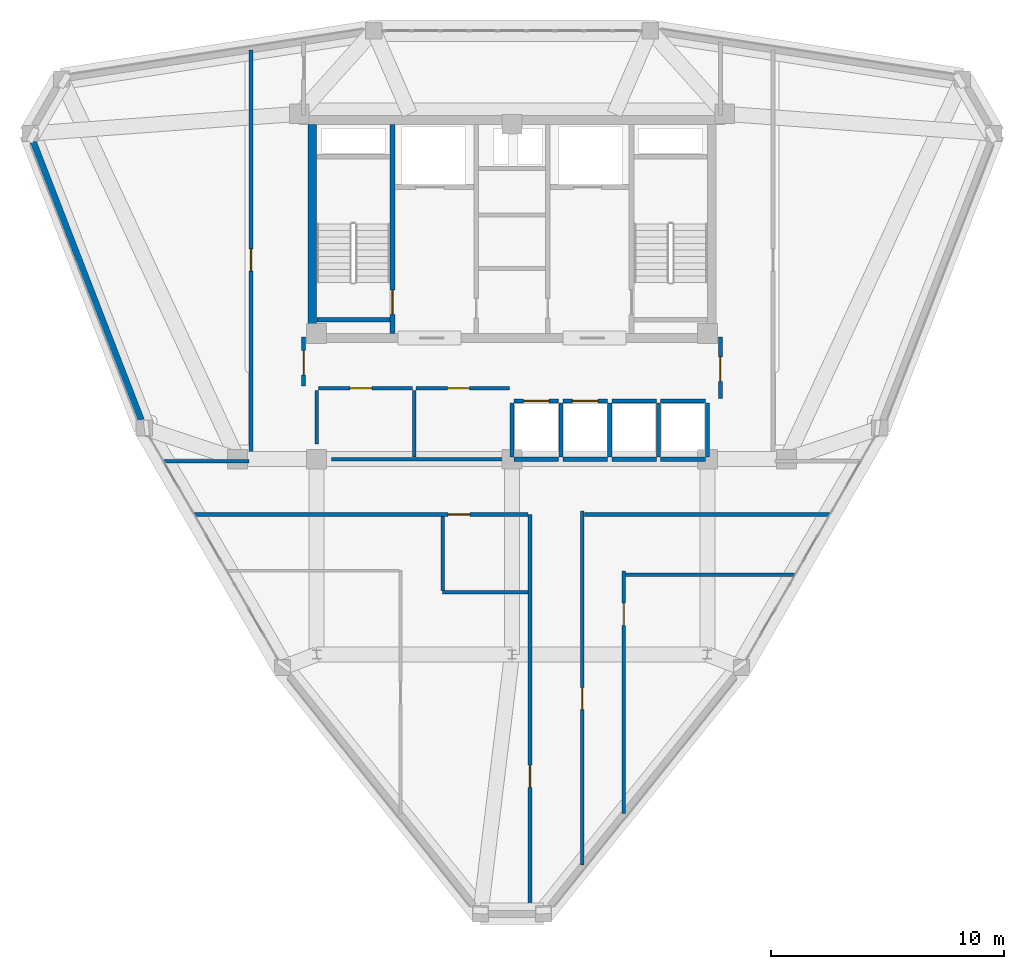
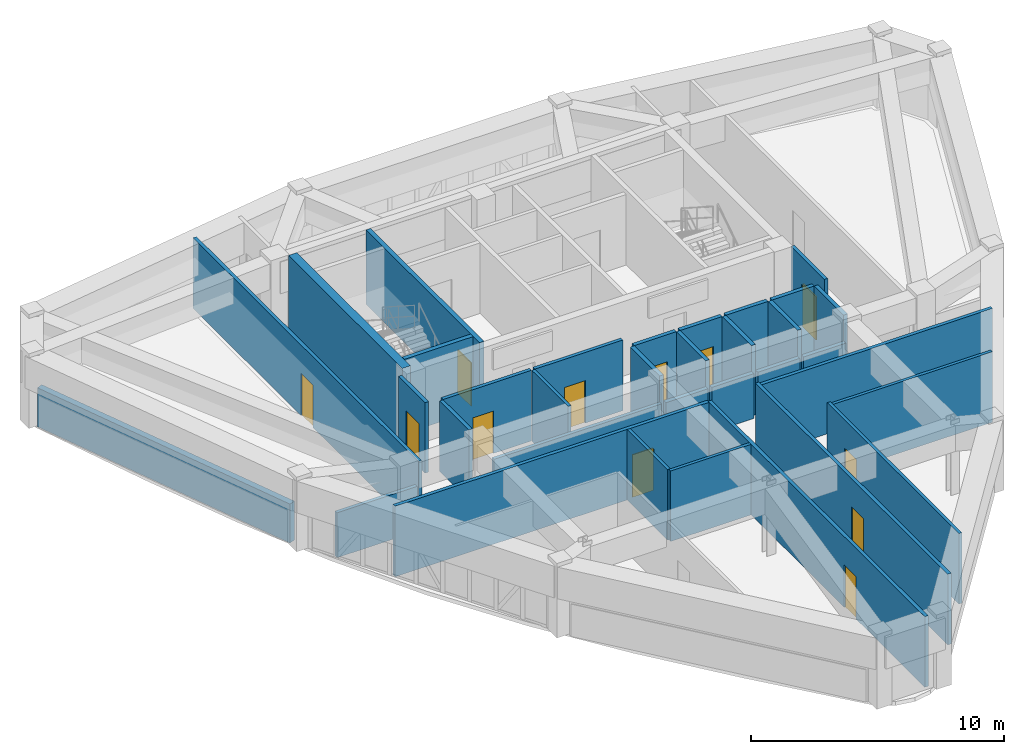
# One storey, part 13 of 16: 34 walls, 12 doors, 12 openings.
"""IFC4 building model written with IfcOpenShell, lengths in metres."""

from ifc_helpers import new_model, si_unit, derived_unit, direction, frame, frame_2d, origin, place, context, subcontext, project, spatial, rectangle, extrude, material, layer, layer_set, type_object, element, fill, save


model = new_model("IFC4")

# Units and contexts
model_context = context("Model", 3, precision=1e-05, world=origin(), true_north=direction((0.0, 1.0)))
body_context = subcontext(model_context, "Body", "Model", "MODEL_VIEW")
ifc_project = project(units=[si_unit("LENGTHUNIT", "METRE"), si_unit("AREAUNIT", "SQUARE_METRE"), si_unit("VOLUMEUNIT", "CUBIC_METRE"), si_unit("PLANEANGLEUNIT", "RADIAN"), si_unit("MASSUNIT", "GRAM", prefix="KILO"), derived_unit("THERMALTRANSMITTANCEUNIT", [(si_unit("POWERUNIT", "WATT"), 1), (si_unit("LENGTHUNIT", "METRE"), -2), (si_unit("THERMODYNAMICTEMPERATUREUNIT", "KELVIN"), -1)])], contexts=[model_context])

# Site, building, storey
site_placement = place(None, origin())
site = spatial("IfcSite", under=ifc_project, at=site_placement, CompositionType="ELEMENT")
building_placement = place(site_placement, origin())
building = spatial("IfcBuilding", under=site, at=building_placement, Name="Korsvarv Bourse and Concert Hall", CompositionType="ELEMENT")
storey_placement = place(building_placement, frame((0.0, 0.0, 261.0)))
storey = spatial("IfcBuildingStorey", under=building, at=storey_placement, Name="L68", CompositionType="ELEMENT", Elevation=261.0)

# Wall
ifc_material_1 = material(Name="Concrete C50/60", Category="concrete")
ifc_layer_1 = layer(ifc_material_1, 0.3798828125)
ifc_layer_set_1 = layer_set([ifc_layer_1], Name="Concrete C50/60")
wall_type_1 = type_object("IfcWallType", Name="WL-CORE-380", PredefinedType="SHEAR", material=ifc_layer_set_1)
wall_1_placement = place(storey_placement, frame((27.409912109375, 37.800048828125, 0.0), z_axis=(0.0, 0.0, 1.0), x_axis=(0.0, 1.0, 0.0)))
element("IfcWall", 1, at=wall_1_placement, inside=storey, type_object=wall_type_1, Name="L68 West Core Shear Wall", PredefinedType="SHEAR", context=body_context, shape_type="SweptSolid", body=[
    extrude(rectangle(XDim=9.0, YDim=0.3798828125, at=frame_2d((4.5, 0.0))), origin(), (0.0, 0.0, 1.0), 3.60009765625),
])

# Wall, opening, door
wall_2_placement = place(storey_placement, frame((30.860107421875, 37.81005859375, 0.0), z_axis=(0.0, 0.0, 1.0), x_axis=(0.0, 1.0, 0.0)))
wall_2 = element("IfcWall", 2, at=wall_2_placement, inside=storey, type_object=wall_type_1, Name="L68 stair shaft structural wall W-L68-ST1-E", PredefinedType="SHEAR", context=body_context, shape_type="SweptSolid", body=[
    extrude(rectangle(XDim=8.97998046875, YDim=0.199951171875, at=frame_2d((4.489990234375, 0.0))), origin(), (0.0, 0.0, 1.0), 3.60009765625),
])
opening_1_placement = place(wall_2_placement, frame((0.820068359375, 0.0, 0.0)))
opening_1 = element("IfcOpeningElement", 3, at=opening_1_placement, cuts=wall_2, Name="Opening D-01", PredefinedType="OPENING", context=body_context, shape_type="SweptSolid", body=[
    extrude(rectangle(XDim=1.050048828125, YDim=2.10009765625, at=frame_2d((0.52490234375, 1.050048828125))), frame((0.0, 0.10986328125, 0.0), z_axis=(0.0, -1.0, 0.0), x_axis=(1.0, 0.0, 0.0)), (0.0, 0.0, 1.0), 0.219970703125),
])
ifc_material_2 = material(Name="Steel S355 fire door", Category="steel")
door_type_1 = type_object("IfcDoorType", Name="DR-FD60", OperationType="NOTDEFINED", PredefinedType="DOOR", material=ifc_material_2)
door_1_placement = place(opening_1_placement, origin())
door_1 = element("IfcDoor", 4, at=door_1_placement, inside=storey, type_object=door_type_1, Name="L68 interior door DR-L68-ST1", OperationType="SINGLE_SWING_RIGHT", OverallHeight=2.10009765625, OverallWidth=1.050048828125, PredefinedType="DOOR", context=body_context, shape_type="SweptSolid", body=[
    extrude(rectangle(XDim=1.050048828125, YDim=2.10009765625, at=frame_2d((0.52490234375, 1.050048828125))), frame((0.0, 0.02490234375, 0.0), z_axis=(0.0, -1.0, 0.0), x_axis=(1.0, 0.0, 0.0)), (0.0, 0.0, 1.0), 0.050048828125),
])
fill(opening_1, door_1)

# Walls
wall_3_placement = place(storey_placement, frame((27.610107421875, 38.39990234375, 0.0), z_axis=(0.0, 0.0, 1.0), x_axis=(1.0, 0.0, 0.0)))
element("IfcWall", 5, at=wall_3_placement, inside=storey, type_object=wall_type_1, Name="L68 stair shaft structural wall W-L68-ST1-S", PredefinedType="SHEAR", context=body_context, shape_type="SweptSolid", body=[
    extrude(rectangle(XDim=3.139892578125, YDim=0.199951171875, at=frame_2d((1.56982421875, 0.0))), origin(), (0.0, 0.0, 1.0), 3.60009765625),
])
ifc_material_3 = material(Name="Precast concrete C45/55 with fluted terracotta pier", Category="concrete")
ifc_layer_2 = layer(ifc_material_3, 0.280029296875)
ifc_layer_set_2 = layer_set([ifc_layer_2], Name="Precast concrete C45/55 with fluted terracotta pier")
wall_type_2 = type_object("IfcWallType", Name="WL-EXT-TC2", PredefinedType="SOLIDWALL", material=ifc_layer_set_2)
wall_4_placement = place(storey_placement, frame((15.41259765625, 46.044189453125, 0.0), z_axis=(0.0, 0.0, 1.0), x_axis=(0.36191228283, -0.932212153716, 0.0)))
element("IfcWall", 6, at=wall_4_placement, inside=storey, type_object=wall_type_2, Name="L68 terracotta exterior wall EW-L68-B06", PredefinedType="SOLIDWALL", context=body_context, shape_type="SweptSolid", body=[
    extrude(rectangle(XDim=12.820556640625, YDim=0.280029296875, at=frame_2d((6.41015625, 0.0))), origin(), (0.0, 0.0, 1.0), 1.8798828125),
])
ifc_material_4 = material(Name="Double-stud fire-rated acoustic partition", Category="gypsum")
ifc_layer_3 = layer(ifc_material_4, 0.159912109375)
ifc_layer_set_3 = layer_set([ifc_layer_3], Name="Double-stud fire-rated acoustic partition")
wall_type_3 = type_object("IfcWallType", Name="WL-INT-EI60", PredefinedType="PARTITIONING", material=ifc_layer_set_3)
wall_5_placement = place(storey_placement, frame((28.25, 32.39990234375, 0.0), z_axis=(0.0, 0.0, 1.0), x_axis=(1.0, 0.0, 0.0)))
element("IfcWall", 7, at=wall_5_placement, inside=storey, type_object=wall_type_3, Name="L68 interior partition wall W-L68-FRD-S", PredefinedType="PARTITIONING", context=body_context, shape_type="SweptSolid", body=[
    extrude(rectangle(XDim=7.64990234375, YDim=0.159912109375, at=frame_2d((3.824951171875, 0.0))), origin(), (0.0, 0.0, 1.0), 2.169921875),
])
wall_6_placement = place(storey_placement, frame((27.60009765625, 33.050048828125, 0.0), z_axis=(0.0, 0.0, 1.0), x_axis=(0.0, 1.0, 0.0)))
element("IfcWall", 8, at=wall_6_placement, inside=storey, type_object=wall_type_3, Name="L68 interior partition wall W-L68-FRD-W", PredefinedType="PARTITIONING", context=body_context, shape_type="SweptSolid", body=[
    extrude(rectangle(XDim=2.31005859375, YDim=0.159912109375, at=frame_2d((1.155029296875, 0.0))), origin(), (0.0, 0.0, 1.0), 3.409912109375),
])

# Wall, opening, door
wall_7_placement = place(storey_placement, frame((27.68994140625, 35.449951171875, 0.0), z_axis=(0.0, 0.0, 1.0), x_axis=(1.0, 0.0, 0.0)))
wall_7 = element("IfcWall", 9, at=wall_7_placement, inside=storey, type_object=wall_type_3, Name="L68 interior partition wall W-L68-FRD-N1", PredefinedType="PARTITIONING", context=body_context, shape_type="SweptSolid", body=[
    extrude(rectangle(XDim=4.030029296875, YDim=0.159912109375, at=frame_2d((2.01513671875, 0.0))), origin(), (0.0, 0.0, 1.0), 3.409912109375),
])
opening_2_placement = place(wall_7_placement, frame((1.35009765625, 0.0, 0.0)))
opening_2 = element("IfcOpeningElement", 10, at=opening_2_placement, cuts=wall_7, Name="Opening D-03", PredefinedType="OPENING", context=body_context, shape_type="SweptSolid", body=[
    extrude(rectangle(XDim=0.949951171875, YDim=2.050048828125, at=frame_2d((0.47509765625, 1.02490234375))), frame((0.0, 0.08984375, 0.0), z_axis=(0.0, -1.0, 0.0), x_axis=(1.0, 0.0, 0.0)), (0.0, 0.0, 1.0), 0.179931640625),
])
ifc_material_5 = material(Name="Nordic oak acoustic office door", Category="wood")
door_type_2 = type_object("IfcDoorType", Name="DR-INT-1", OperationType="NOTDEFINED", PredefinedType="DOOR", material=ifc_material_5)
door_2_placement = place(opening_2_placement, origin())
door_2 = element("IfcDoor", 11, at=door_2_placement, inside=storey, type_object=door_type_2, Name="L68 interior door DR-L68-FRDN1", OperationType="SINGLE_SWING_RIGHT", OverallHeight=2.050048828125, OverallWidth=0.949951171875, PredefinedType="DOOR", context=body_context, shape_type="SweptSolid", body=[
    extrude(rectangle(XDim=0.949951171875, YDim=2.050048828125, at=frame_2d((0.47509765625, 1.02490234375))), frame((0.0, 0.02490234375, 0.0), z_axis=(0.0, -1.0, 0.0), x_axis=(1.0, 0.0, 0.0)), (0.0, 0.0, 1.0), 0.050048828125),
])
fill(opening_2, door_2)

wall_8_placement = place(storey_placement, frame((31.8798828125, 35.449951171875, 0.0), z_axis=(0.0, 0.0, 1.0), x_axis=(1.0, 0.0, 0.0)))
wall_8 = element("IfcWall", 12, at=wall_8_placement, inside=storey, type_object=wall_type_3, Name="L68 interior partition wall W-L68-FRD-N2", PredefinedType="PARTITIONING", context=body_context, shape_type="SweptSolid", body=[
    extrude(rectangle(XDim=4.02001953125, YDim=0.159912109375, at=frame_2d((2.010009765625, 0.0))), origin(), (0.0, 0.0, 1.0), 3.409912109375),
])
opening_3_placement = place(wall_8_placement, frame((1.35009765625, 0.0, 0.0)))
opening_3 = element("IfcOpeningElement", 13, at=opening_3_placement, cuts=wall_8, Name="Opening D-03", PredefinedType="OPENING", context=body_context, shape_type="SweptSolid", body=[
    extrude(rectangle(XDim=0.949951171875, YDim=2.050048828125, at=frame_2d((0.47509765625, 1.02490234375))), frame((0.0, 0.08984375, 0.0), z_axis=(0.0, -1.0, 0.0), x_axis=(1.0, 0.0, 0.0)), (0.0, 0.0, 1.0), 0.179931640625),
])
door_3_placement = place(opening_3_placement, origin())
door_3 = element("IfcDoor", 14, at=door_3_placement, inside=storey, type_object=door_type_2, Name="L68 interior door DR-L68-FRDN2", OperationType="SINGLE_SWING_LEFT", OverallHeight=2.050048828125, OverallWidth=0.949951171875, PredefinedType="DOOR", context=body_context, shape_type="SweptSolid", body=[
    extrude(rectangle(XDim=0.949951171875, YDim=2.050048828125, at=frame_2d((0.47509765625, 1.02490234375))), frame((0.0, 0.02490234375, 0.0), z_axis=(0.0, -1.0, 0.0), x_axis=(1.0, 0.0, 0.0)), (0.0, 0.0, 1.0), 0.050048828125),
])
fill(opening_3, door_3)

wall_9_placement = place(storey_placement, frame((27.0400390625, 35.5400390625, 0.0), z_axis=(0.0, 0.0, 1.0), x_axis=(0.0, 1.0, 0.0)))
wall_9 = element("IfcWall", 15, at=wall_9_placement, inside=storey, type_object=wall_type_3, Name="L68 interior partition wall W-L68-LOB-WL", PredefinedType="PARTITIONING", context=body_context, shape_type="SweptSolid", body=[
    extrude(rectangle(XDim=2.10986328125, YDim=0.159912109375, at=frame_2d((1.054931640625, 0.0))), origin(), (0.0, 0.0, 1.0), 3.409912109375),
])
opening_4_placement = place(wall_9_placement, frame((0.47998046875, 0.0, 0.0)))
opening_4 = element("IfcOpeningElement", 16, at=opening_4_placement, cuts=wall_9, Name="Opening D-01", PredefinedType="OPENING", context=body_context, shape_type="SweptSolid", body=[
    extrude(rectangle(XDim=1.050048828125, YDim=2.10009765625, at=frame_2d((0.52490234375, 1.050048828125))), frame((0.0, 0.08984375, 0.0), z_axis=(0.0, -1.0, 0.0), x_axis=(1.0, 0.0, 0.0)), (0.0, 0.0, 1.0), 0.179931640625),
])
door_4_placement = place(opening_4_placement, frame((1.050048828125, 0.0, 0.0), z_axis=(0.0, 0.0, 1.0), x_axis=(-1.0, 0.0, 0.0)))
door_4 = element("IfcDoor", 17, at=door_4_placement, inside=storey, type_object=door_type_1, Name="L68 interior door DR-L68-LOBW", OperationType="SINGLE_SWING_RIGHT", OverallHeight=2.10009765625, OverallWidth=1.050048828125, PredefinedType="DOOR", context=body_context, shape_type="SweptSolid", body=[
    extrude(rectangle(XDim=1.050048828125, YDim=2.10009765625, at=frame_2d((0.52490234375, 1.050048828125))), frame((0.0, 0.02490234375, 0.0), z_axis=(0.0, -1.0, 0.0), x_axis=(1.0, 0.0, 0.0)), (0.0, 0.0, 1.0), 0.050048828125),
])
fill(opening_4, door_4)

wall_10_placement = place(storey_placement, frame((44.9599609375, 35.0, 0.0), z_axis=(0.0, 0.0, 1.0), x_axis=(0.0, 1.0, 0.0)))
wall_10 = element("IfcWall", 18, at=wall_10_placement, inside=storey, type_object=wall_type_3, Name="L68 interior partition wall W-L68-LOB-E", PredefinedType="PARTITIONING", context=body_context, shape_type="SweptSolid", body=[
    extrude(rectangle(XDim=2.64990234375, YDim=0.159912109375, at=frame_2d((1.324951171875, 0.0))), origin(), (0.0, 0.0, 1.0), 3.409912109375),
])
opening_5_placement = place(wall_10_placement, frame((0.75, 0.0, 0.0)))
opening_5 = element("IfcOpeningElement", 19, at=opening_5_placement, cuts=wall_10, Name="Opening D-01", PredefinedType="OPENING", context=body_context, shape_type="SweptSolid", body=[
    extrude(rectangle(XDim=1.050048828125, YDim=2.10009765625, at=frame_2d((0.52490234375, 1.050048828125))), frame((0.0, 0.08984375, 0.0), z_axis=(0.0, -1.0, 0.0), x_axis=(1.0, 0.0, 0.0)), (0.0, 0.0, 1.0), 0.179931640625),
])
door_5_placement = place(opening_5_placement, origin())
door_5 = element("IfcDoor", 20, at=door_5_placement, inside=storey, type_object=door_type_1, Name="L68 interior door DR-L68-LOBE", OperationType="SINGLE_SWING_LEFT", OverallHeight=2.10009765625, OverallWidth=1.050048828125, PredefinedType="DOOR", context=body_context, shape_type="SweptSolid", body=[
    extrude(rectangle(XDim=1.050048828125, YDim=2.10009765625, at=frame_2d((0.52490234375, 1.050048828125))), frame((0.0, 0.02490234375, 0.0), z_axis=(0.0, -1.0, 0.0), x_axis=(1.0, 0.0, 0.0)), (0.0, 0.0, 1.0), 0.050048828125),
])
fill(opening_5, door_5)

wall_11_placement = place(storey_placement, frame((24.77490234375, 32.159912109375, 0.0), z_axis=(0.0, 0.0, 1.0), x_axis=(0.0, 1.0, 0.0)))
wall_11 = element("IfcWall", 21, at=wall_11_placement, inside=storey, type_object=wall_type_3, Name="L68 interior partition wall W-L68-TCOR-02", PredefinedType="PARTITIONING", context=body_context, shape_type="SweptSolid", body=[
    extrude(rectangle(XDim=17.8271484375, YDim=0.159912109375, at=frame_2d((8.91357421875, 0.0))), origin(), (0.0, 0.0, 1.0), 3.409912109375),
])
opening_6_placement = place(wall_11_placement, frame((8.330322265625, 0.0, 0.0)))
opening_6 = element("IfcOpeningElement", 22, at=opening_6_placement, cuts=wall_11, Name="Opening D-02", PredefinedType="OPENING", context=body_context, shape_type="SweptSolid", body=[
    extrude(rectangle(XDim=0.949951171875, YDim=2.050048828125, at=frame_2d((0.47509765625, 1.02490234375))), frame((0.0, 0.08984375, 0.0), z_axis=(0.0, -1.0, 0.0), x_axis=(1.0, 0.0, 0.0)), (0.0, 0.0, 1.0), 0.179931640625),
])
ifc_material_6 = material(Name="Timber and steel acoustic fire door", Category="wood")
door_type_3 = type_object("IfcDoorType", Name="DR-FD30", OperationType="NOTDEFINED", PredefinedType="DOOR", material=ifc_material_6)
door_6_placement = place(opening_6_placement, origin())
door_6 = element("IfcDoor", 23, at=door_6_placement, inside=storey, type_object=door_type_3, Name="L68 interior door DR-L68-TCOR-NWC7", OperationType="SINGLE_SWING_LEFT", OverallHeight=2.050048828125, OverallWidth=0.949951171875, PredefinedType="DOOR", context=body_context, shape_type="SweptSolid", body=[
    extrude(rectangle(XDim=0.949951171875, YDim=2.050048828125, at=frame_2d((0.47509765625, 1.02490234375))), frame((0.0, 0.02490234375, 0.0), z_axis=(0.0, -1.0, 0.0), x_axis=(1.0, 0.0, 0.0)), (0.0, 0.0, 1.0), 0.050048828125),
])
fill(opening_6, door_6)

wall_12_placement = place(storey_placement, frame((36.77490234375, 12.871826171875, 0.0), z_axis=(0.0, 0.0, 1.0), x_axis=(0.0, 1.0, 0.0)))
wall_12 = element("IfcWall", 24, at=wall_12_placement, inside=storey, type_object=wall_type_3, Name="L68 interior partition wall W-L68-TCOR-03", PredefinedType="PARTITIONING", context=body_context, shape_type="SweptSolid", body=[
    extrude(rectangle(XDim=17.158203125, YDim=0.159912109375, at=frame_2d((8.5791015625, 0.0))), origin(), (0.0, 0.0, 1.0), 3.409912109375),
])
opening_7_placement = place(wall_12_placement, frame((5.42138671875, 0.0, 0.0)))
opening_7 = element("IfcOpeningElement", 25, at=opening_7_placement, cuts=wall_12, Name="Opening D-02", PredefinedType="OPENING", context=body_context, shape_type="SweptSolid", body=[
    extrude(rectangle(XDim=0.949951171875, YDim=2.050048828125, at=frame_2d((0.47509765625, 1.02490234375))), frame((0.0, 0.08984375, 0.0), z_axis=(0.0, -1.0, 0.0), x_axis=(1.0, 0.0, 0.0)), (0.0, 0.0, 1.0), 0.179931640625),
])
door_7_placement = place(opening_7_placement, origin())
door_7 = element("IfcDoor", 26, at=door_7_placement, inside=storey, type_object=door_type_3, Name="L68 interior door DR-L68-TCOR-SWB6", OperationType="SINGLE_SWING_RIGHT", OverallHeight=2.050048828125, OverallWidth=0.949951171875, PredefinedType="DOOR", context=body_context, shape_type="SweptSolid", body=[
    extrude(rectangle(XDim=0.949951171875, YDim=2.050048828125, at=frame_2d((0.47509765625, 1.02490234375))), frame((0.0, 0.02490234375, 0.0), z_axis=(0.0, -1.0, 0.0), x_axis=(1.0, 0.0, 0.0)), (0.0, 0.0, 1.0), 0.050048828125),
])
fill(opening_7, door_7)

wall_13_placement = place(storey_placement, frame((39.02490234375, 14.9482421875, 0.0), z_axis=(0.0, 0.0, 1.0), x_axis=(0.0, 1.0, 0.0)))
wall_13 = element("IfcWall", 27, at=wall_13_placement, inside=storey, type_object=wall_type_3, Name="L68 interior partition wall W-L68-TCOR-04", PredefinedType="PARTITIONING", context=body_context, shape_type="SweptSolid", body=[
    extrude(rectangle(XDim=15.231689453125, YDim=0.159912109375, at=frame_2d((7.61572265625, 0.0))), origin(), (0.0, 0.0, 1.0), 3.409912109375),
])
opening_8_placement = place(wall_13_placement, frame((6.6796875, 0.0, 0.0)))
opening_8 = element("IfcOpeningElement", 28, at=opening_8_placement, cuts=wall_13, Name="Opening D-02", PredefinedType="OPENING", context=body_context, shape_type="SweptSolid", body=[
    extrude(rectangle(XDim=0.949951171875, YDim=2.050048828125, at=frame_2d((0.47509765625, 1.02490234375))), frame((0.0, 0.08984375, 0.0), z_axis=(0.0, -1.0, 0.0), x_axis=(1.0, 0.0, 0.0)), (0.0, 0.0, 1.0), 0.179931640625),
])
door_8_placement = place(opening_8_placement, origin())
door_8 = element("IfcDoor", 29, at=door_8_placement, inside=storey, type_object=door_type_3, Name="L68 interior door DR-L68-TCOR-SEB2", OperationType="SINGLE_SWING_LEFT", OverallHeight=2.050048828125, OverallWidth=0.949951171875, PredefinedType="DOOR", context=body_context, shape_type="SweptSolid", body=[
    extrude(rectangle(XDim=0.949951171875, YDim=2.050048828125, at=frame_2d((0.47509765625, 1.02490234375))), frame((0.0, 0.02490234375, 0.0), z_axis=(0.0, -1.0, 0.0), x_axis=(1.0, 0.0, 0.0)), (0.0, 0.0, 1.0), 0.050048828125),
])
fill(opening_8, door_8)

wall_14_placement = place(storey_placement, frame((22.35400390625, 30.02490234375, 0.0), z_axis=(0.0, 0.0, 1.0), x_axis=(1.0, 0.0, 0.0)))
wall_14 = element("IfcWall", 30, at=wall_14_placement, inside=storey, type_object=wall_type_3, Name="L68 interior partition wall W-L68-TCOR-05", PredefinedType="PARTITIONING", context=body_context, shape_type="SweptSolid", body=[
    extrude(rectangle(XDim=14.339111328125, YDim=0.159912109375, at=frame_2d((7.16943359375, 0.0))), origin(), (0.0, 0.0, 1.0), 3.409912109375),
])
opening_9_placement = place(wall_14_placement, frame((10.885986328125, 0.0, 0.0)))
opening_9 = element("IfcOpeningElement", 31, at=opening_9_placement, cuts=wall_14, Name="Opening D-02", PredefinedType="OPENING", context=body_context, shape_type="SweptSolid", body=[
    extrude(rectangle(XDim=0.949951171875, YDim=2.050048828125, at=frame_2d((0.47509765625, 1.02490234375))), frame((0.0, 0.08984375, 0.0), z_axis=(0.0, -1.0, 0.0), x_axis=(1.0, 0.0, 0.0)), (0.0, 0.0, 1.0), 0.179931640625),
])
door_9_placement = place(opening_9_placement, origin())
door_9 = element("IfcDoor", 32, at=door_9_placement, inside=storey, type_object=door_type_3, Name="L68 interior door DR-L68-TCOR-RWC", OperationType="SINGLE_SWING_RIGHT", OverallHeight=2.050048828125, OverallWidth=0.949951171875, PredefinedType="DOOR", context=body_context, shape_type="SweptSolid", body=[
    extrude(rectangle(XDim=0.949951171875, YDim=2.050048828125, at=frame_2d((0.47509765625, 1.02490234375))), frame((0.0, 0.02490234375, 0.0), z_axis=(0.0, -1.0, 0.0), x_axis=(1.0, 0.0, 0.0)), (0.0, 0.0, 1.0), 0.050048828125),
])
fill(opening_9, door_9)

# Walls
wall_15_placement = place(storey_placement, frame((39.10693359375, 30.02490234375, 0.0), z_axis=(0.0, 0.0, 1.0), x_axis=(1.0, 0.0, 0.0)))
element("IfcWall", 33, at=wall_15_placement, inside=storey, type_object=wall_type_3, Name="L68 interior partition wall W-L68-TCOR-06", PredefinedType="PARTITIONING", context=body_context, shape_type="SweptSolid", body=[
    extrude(rectangle(XDim=10.5390625, YDim=0.159912109375, at=frame_2d((5.26953125, 0.0))), origin(), (0.0, 0.0, 1.0), 3.409912109375),
])
wall_16_placement = place(storey_placement, frame((21.03173828125, 32.31494140625, 0.0), z_axis=(0.0, 0.0, 1.0), x_axis=(1.0, 0.0, 0.0)))
element("IfcWall", 34, at=wall_16_placement, inside=storey, type_object=wall_type_3, Name="L68 interior partition wall W-L68-TCOR-07", PredefinedType="PARTITIONING", context=body_context, shape_type="SweptSolid", body=[
    extrude(rectangle(XDim=3.661376953125, YDim=0.159912109375, at=frame_2d((1.83056640625, 0.0))), origin(), (0.0, 0.0, 1.0), 2.169921875),
])

# Wall, opening, door
ifc_material_7 = material(Name="Gypsum-clad autoclaved concrete shaft wall C30/37", Category="concrete")
ifc_layer_4 = layer(ifc_material_7, 0.179931640625)
ifc_layer_set_4 = layer_set([ifc_layer_4], Name="Gypsum-clad autoclaved concrete shaft wall C30/37")
wall_type_4 = type_object("IfcWallType", Name="WL-INT-EI90", PredefinedType="PARTITIONING", material=ifc_layer_set_4)
wall_17_placement = place(storey_placement, frame((36.090087890625, 34.89990234375, 0.0), z_axis=(0.0, 0.0, 1.0), x_axis=(1.0, 0.0, 0.0)))
wall_17 = element("IfcWall", 35, at=wall_17_placement, inside=storey, type_object=wall_type_4, Name="L68 interior partition wall W-L68-SHFN-PH1", PredefinedType="PARTITIONING", context=body_context, shape_type="SweptSolid", body=[
    extrude(rectangle(XDim=1.919921875, YDim=0.179931640625, at=frame_2d((0.9599609375, 0.0))), origin(), (0.0, 0.0, 1.0), 3.409912109375),
])
opening_10_placement = place(wall_17_placement, frame((0.409912109375, 0.0, 0.0)))
opening_10 = element("IfcOpeningElement", 36, at=opening_10_placement, cuts=wall_17, Name="Opening LD-2", PredefinedType="OPENING", context=body_context, shape_type="SweptSolid", body=[
    extrude(rectangle(XDim=1.10009765625, YDim=2.10009765625, at=frame_2d((0.550048828125, 1.050048828125))), frame((0.0, 0.10009765625, 0.0), z_axis=(0.0, -1.0, 0.0), x_axis=(1.0, 0.0, 0.0)), (0.0, 0.0, 1.0), 0.199951171875),
])
ifc_material_8 = material(Name="Brushed stainless Steel S355 lift landing door", Category="steel")
door_type_4 = type_object("IfcDoorType", Name="DR-LIFT-P", OperationType="DOUBLE_DOOR_SLIDING", PredefinedType="DOOR", material=ifc_material_8)
door_10_placement = place(opening_10_placement, origin())
door_10 = element("IfcDoor", 37, at=door_10_placement, inside=storey, type_object=door_type_4, Name="L68 lift sliding landing door LD-L68-PH1", OperationType="DOUBLE_DOOR_SLIDING", OverallHeight=2.10009765625, OverallWidth=1.10009765625, PredefinedType="DOOR", context=body_context, shape_type="SweptSolid", body=[
    extrude(rectangle(XDim=1.10009765625, YDim=2.10009765625, at=frame_2d((0.550048828125, 1.050048828125))), frame((0.0, 0.02490234375, 0.0), z_axis=(0.0, -1.0, 0.0), x_axis=(1.0, 0.0, 0.0)), (0.0, 0.0, 1.0), 0.050048828125),
])
fill(opening_10, door_10)

# Walls
wall_18_placement = place(storey_placement, frame((36.090087890625, 32.39990234375, 0.0), z_axis=(0.0, 0.0, 1.0), x_axis=(1.0, 0.0, 0.0)))
element("IfcWall", 38, at=wall_18_placement, inside=storey, type_object=wall_type_4, Name="L68 interior partition wall W-L68-SHFS-PH1", PredefinedType="PARTITIONING", context=body_context, shape_type="SweptSolid", body=[
    extrude(rectangle(XDim=1.919921875, YDim=0.179931640625, at=frame_2d((0.9599609375, 0.0))), origin(), (0.0, 0.0, 1.0), 2.169921875),
])
wall_19_placement = place(storey_placement, frame((36.0, 32.489990234375, 0.0), z_axis=(0.0, 0.0, 1.0), x_axis=(0.0, 1.0, 0.0)))
element("IfcWall", 39, at=wall_19_placement, inside=storey, type_object=wall_type_4, Name="L68 interior partition wall W-L68-SHFW-PH1", PredefinedType="PARTITIONING", context=body_context, shape_type="SweptSolid", body=[
    extrude(rectangle(XDim=2.320068359375, YDim=0.179931640625, at=frame_2d((1.16015625, 0.0))), origin(), (0.0, 0.0, 1.0), 3.409912109375),
])

# Wall, opening, door
wall_20_placement = place(storey_placement, frame((38.18994140625, 34.89990234375, 0.0), z_axis=(0.0, 0.0, 1.0), x_axis=(1.0, 0.0, 0.0)))
wall_20 = element("IfcWall", 40, at=wall_20_placement, inside=storey, type_object=wall_type_4, Name="L68 interior partition wall W-L68-SHFN-PH2", PredefinedType="PARTITIONING", context=body_context, shape_type="SweptSolid", body=[
    extrude(rectangle(XDim=1.920166015625, YDim=0.179931640625, at=frame_2d((0.9599609375, 0.0))), origin(), (0.0, 0.0, 1.0), 3.409912109375),
])
opening_11_placement = place(wall_20_placement, frame((0.409912109375, 0.0, 0.0)))
opening_11 = element("IfcOpeningElement", 41, at=opening_11_placement, cuts=wall_20, Name="Opening LD-2", PredefinedType="OPENING", context=body_context, shape_type="SweptSolid", body=[
    extrude(rectangle(XDim=1.10009765625, YDim=2.10009765625, at=frame_2d((0.550048828125, 1.050048828125))), frame((0.0, 0.10009765625, 0.0), z_axis=(0.0, -1.0, 0.0), x_axis=(1.0, 0.0, 0.0)), (0.0, 0.0, 1.0), 0.199951171875),
])
door_11_placement = place(opening_11_placement, origin())
door_11 = element("IfcDoor", 42, at=door_11_placement, inside=storey, type_object=door_type_4, Name="L68 lift sliding landing door LD-L68-PH2", OperationType="DOUBLE_DOOR_SLIDING", OverallHeight=2.10009765625, OverallWidth=1.10009765625, PredefinedType="DOOR", context=body_context, shape_type="SweptSolid", body=[
    extrude(rectangle(XDim=1.10009765625, YDim=2.10009765625, at=frame_2d((0.550048828125, 1.050048828125))), frame((0.0, 0.02490234375, 0.0), z_axis=(0.0, -1.0, 0.0), x_axis=(1.0, 0.0, 0.0)), (0.0, 0.0, 1.0), 0.050048828125),
])
fill(opening_11, door_11)

# Walls
wall_21_placement = place(storey_placement, frame((38.18994140625, 32.39990234375, 0.0), z_axis=(0.0, 0.0, 1.0), x_axis=(1.0, 0.0, 0.0)))
element("IfcWall", 43, at=wall_21_placement, inside=storey, type_object=wall_type_4, Name="L68 interior partition wall W-L68-SHFS-PH2", PredefinedType="PARTITIONING", context=body_context, shape_type="SweptSolid", body=[
    extrude(rectangle(XDim=1.920166015625, YDim=0.179931640625, at=frame_2d((0.9599609375, 0.0))), origin(), (0.0, 0.0, 1.0), 2.169921875),
])
wall_22_placement = place(storey_placement, frame((38.10009765625, 32.489990234375, 0.0), z_axis=(0.0, 0.0, 1.0), x_axis=(0.0, 1.0, 0.0)))
element("IfcWall", 44, at=wall_22_placement, inside=storey, type_object=wall_type_4, Name="L68 interior partition wall W-L68-SHFW-PH2", PredefinedType="PARTITIONING", context=body_context, shape_type="SweptSolid", body=[
    extrude(rectangle(XDim=2.320068359375, YDim=0.179931640625, at=frame_2d((1.16015625, 0.0))), origin(), (0.0, 0.0, 1.0), 3.409912109375),
])
wall_23_placement = place(storey_placement, frame((40.2900390625, 34.89990234375, 0.0), z_axis=(0.0, 0.0, 1.0), x_axis=(1.0, 0.0, 0.0)))
element("IfcWall", 45, at=wall_23_placement, inside=storey, type_object=wall_type_4, Name="L68 interior partition wall W-L68-SHFN-PO1", PredefinedType="PARTITIONING", context=body_context, shape_type="SweptSolid", body=[
    extrude(rectangle(XDim=1.919921875, YDim=0.179931640625, at=frame_2d((0.9599609375, 0.0))), origin(), (0.0, 0.0, 1.0), 3.409912109375),
])
wall_24_placement = place(storey_placement, frame((40.2900390625, 32.39990234375, 0.0), z_axis=(0.0, 0.0, 1.0), x_axis=(1.0, 0.0, 0.0)))
element("IfcWall", 46, at=wall_24_placement, inside=storey, type_object=wall_type_4, Name="L68 interior partition wall W-L68-SHFS-PO1", PredefinedType="PARTITIONING", context=body_context, shape_type="SweptSolid", body=[
    extrude(rectangle(XDim=1.919921875, YDim=0.179931640625, at=frame_2d((0.9599609375, 0.0))), origin(), (0.0, 0.0, 1.0), 2.169921875),
])
wall_25_placement = place(storey_placement, frame((40.199951171875, 32.489990234375, 0.0), z_axis=(0.0, 0.0, 1.0), x_axis=(0.0, 1.0, 0.0)))
element("IfcWall", 47, at=wall_25_placement, inside=storey, type_object=wall_type_4, Name="L68 interior partition wall W-L68-SHFW-PO1", PredefinedType="PARTITIONING", context=body_context, shape_type="SweptSolid", body=[
    extrude(rectangle(XDim=2.320068359375, YDim=0.179931640625, at=frame_2d((1.16015625, 0.0))), origin(), (0.0, 0.0, 1.0), 3.409912109375),
])
wall_26_placement = place(storey_placement, frame((42.389892578125, 34.89990234375, 0.0), z_axis=(0.0, 0.0, 1.0), x_axis=(1.0, 0.0, 0.0)))
element("IfcWall", 48, at=wall_26_placement, inside=storey, type_object=wall_type_4, Name="L68 interior partition wall W-L68-SHFN-PO2", PredefinedType="PARTITIONING", context=body_context, shape_type="SweptSolid", body=[
    extrude(rectangle(XDim=1.920166015625, YDim=0.179931640625, at=frame_2d((0.9599609375, 0.0))), origin(), (0.0, 0.0, 1.0), 3.409912109375),
])
wall_27_placement = place(storey_placement, frame((42.389892578125, 32.39990234375, 0.0), z_axis=(0.0, 0.0, 1.0), x_axis=(1.0, 0.0, 0.0)))
element("IfcWall", 49, at=wall_27_placement, inside=storey, type_object=wall_type_4, Name="L68 interior partition wall W-L68-SHFS-PO2", PredefinedType="PARTITIONING", context=body_context, shape_type="SweptSolid", body=[
    extrude(rectangle(XDim=1.920166015625, YDim=0.179931640625, at=frame_2d((0.9599609375, 0.0))), origin(), (0.0, 0.0, 1.0), 2.169921875),
])
for number, where, z_axis, x_axis, name in (
    (50, (42.300048828125, 32.489990234375, 0.0), (0.0, 0.0, 1.0), (0.0, 1.0, 0.0), "L68 interior partition wall W-L68-SHFW-PO2"),
    (51, (44.39990234375, 32.489990234375, 0.0), (0.0, 0.0, 1.0), (0.0, 1.0, 0.0), "L68 interior partition wall W-L68-SHFE-END"),
):
    element("IfcWall", number, at=place(storey_placement, frame(where, z_axis=z_axis, x_axis=x_axis)), inside=storey, type_object=wall_type_4, Name=name, PredefinedType="PARTITIONING", context=body_context, shape_type="SweptSolid", body=[
        extrude(rectangle(XDim=2.320068359375, YDim=0.179931640625, at=frame_2d((1.16015625, 0.0))), origin(), (0.0, 0.0, 1.0), 3.409912109375),
    ])
ifc_material_9 = material(Name="Insulated steel-stud office acoustic partition", Category="gypsum")
ifc_layer_5 = layer(ifc_material_9, 0.139892578125)
ifc_layer_set_5 = layer_set([ifc_layer_5], Name="Insulated steel-stud office acoustic partition")
wall_type_5 = type_object("IfcWallType", Name="WL-INT-P1", PredefinedType="PARTITIONING", material=ifc_layer_set_5)
wall_28_placement = place(storey_placement, frame((31.800048828125, 32.489990234375, 0.0), z_axis=(0.0, 0.0, 1.0), x_axis=(0.0, 1.0, 0.0)))
element("IfcWall", 52, at=wall_28_placement, inside=storey, type_object=wall_type_5, Name="L68 interior partition wall W-L68-FRD-V", PredefinedType="PARTITIONING", context=body_context, shape_type="SweptSolid", body=[
    extrude(rectangle(XDim=2.8701171875, YDim=0.139892578125, at=frame_2d((1.43505859375, 0.0))), origin(), (0.0, 0.0, 1.0), 3.409912109375),
])

# Wall, opening, door
wall_29_placement = place(storey_placement, frame((40.804931640625, 17.163330078125, 0.0), z_axis=(0.0, 0.0, 1.0), x_axis=(0.0, 1.0, 0.0)))
wall_29 = element("IfcWall", 53, at=wall_29_placement, inside=storey, type_object=wall_type_5, Name="L68 interior partition wall W-L68-TCOR-12", PredefinedType="PARTITIONING", context=body_context, shape_type="SweptSolid", body=[
    extrude(rectangle(XDim=10.4267578125, YDim=0.139892578125, at=frame_2d((5.21337890625, 0.0))), origin(), (0.0, 0.0, 1.0), 3.409912109375),
])
opening_12_placement = place(wall_29_placement, frame((8.095703125, 0.0, 0.0)))
opening_12 = element("IfcOpeningElement", 54, at=opening_12_placement, cuts=wall_29, Name="Opening D-03", PredefinedType="OPENING", context=body_context, shape_type="SweptSolid", body=[
    extrude(rectangle(XDim=0.949951171875, YDim=2.050048828125, at=frame_2d((0.47509765625, 1.02490234375))), frame((0.0, 0.080078125, 0.0), z_axis=(0.0, -1.0, 0.0), x_axis=(1.0, 0.0, 0.0)), (0.0, 0.0, 1.0), 0.159912109375),
])
door_12_placement = place(opening_12_placement, origin())
door_12 = element("IfcDoor", 55, at=door_12_placement, inside=storey, type_object=door_type_2, Name="L68 interior door DR-L68-TCOR-SAPE3", OperationType="SINGLE_SWING_LEFT", OverallHeight=2.050048828125, OverallWidth=0.949951171875, PredefinedType="DOOR", context=body_context, shape_type="SweptSolid", body=[
    extrude(rectangle(XDim=0.949951171875, YDim=2.050048828125, at=frame_2d((0.47509765625, 1.02490234375))), frame((0.0, 0.02490234375, 0.0), z_axis=(0.0, -1.0, 0.0), x_axis=(1.0, 0.0, 0.0)), (0.0, 0.0, 1.0), 0.050048828125),
])
fill(opening_12, door_12)

# Walls
wall_30_placement = place(storey_placement, frame((40.876953125, 27.43505859375, 0.0), z_axis=(0.0, 0.0, 1.0), x_axis=(1.0, 0.0, 0.0)))
element("IfcWall", 56, at=wall_30_placement, inside=storey, type_object=wall_type_5, Name="L68 interior partition wall W-L68-TCOR-14", PredefinedType="PARTITIONING", context=body_context, shape_type="SweptSolid", body=[
    extrude(rectangle(XDim=7.27392578125, YDim=0.139892578125, at=frame_2d((3.636962890625, 0.0))), origin(), (0.0, 0.0, 1.0), 3.409912109375),
])
wall_31_placement = place(storey_placement, frame((33.02001953125, 26.675048828125, 0.0), z_axis=(0.0, 0.0, 1.0), x_axis=(1.0, 0.0, 0.0)))
element("IfcWall", 57, at=wall_31_placement, inside=storey, type_object=wall_type_5, Name="L68 interior partition wall W-L68-TCOR-15", PredefinedType="PARTITIONING", context=body_context, shape_type="SweptSolid", body=[
    extrude(rectangle(XDim=3.673095703125, YDim=0.139892578125, at=frame_2d((1.83642578125, 0.0))), origin(), (0.0, 0.0, 1.0), 3.409912109375),
])
wall_32_placement = place(storey_placement, frame((33.02490234375, 26.7470703125, 0.0), z_axis=(0.0, 0.0, 1.0), x_axis=(0.0, 1.0, 0.0)))
element("IfcWall", 58, at=wall_32_placement, inside=storey, type_object=wall_type_5, Name="L68 interior partition wall W-L68-TCOR-16", PredefinedType="PARTITIONING", context=body_context, shape_type="SweptSolid", body=[
    extrude(rectangle(XDim=3.196044921875, YDim=0.139892578125, at=frame_2d((1.59814453125, 0.0))), origin(), (0.0, 0.0, 1.0), 3.409912109375),
])

save(model, "model.ifc")
